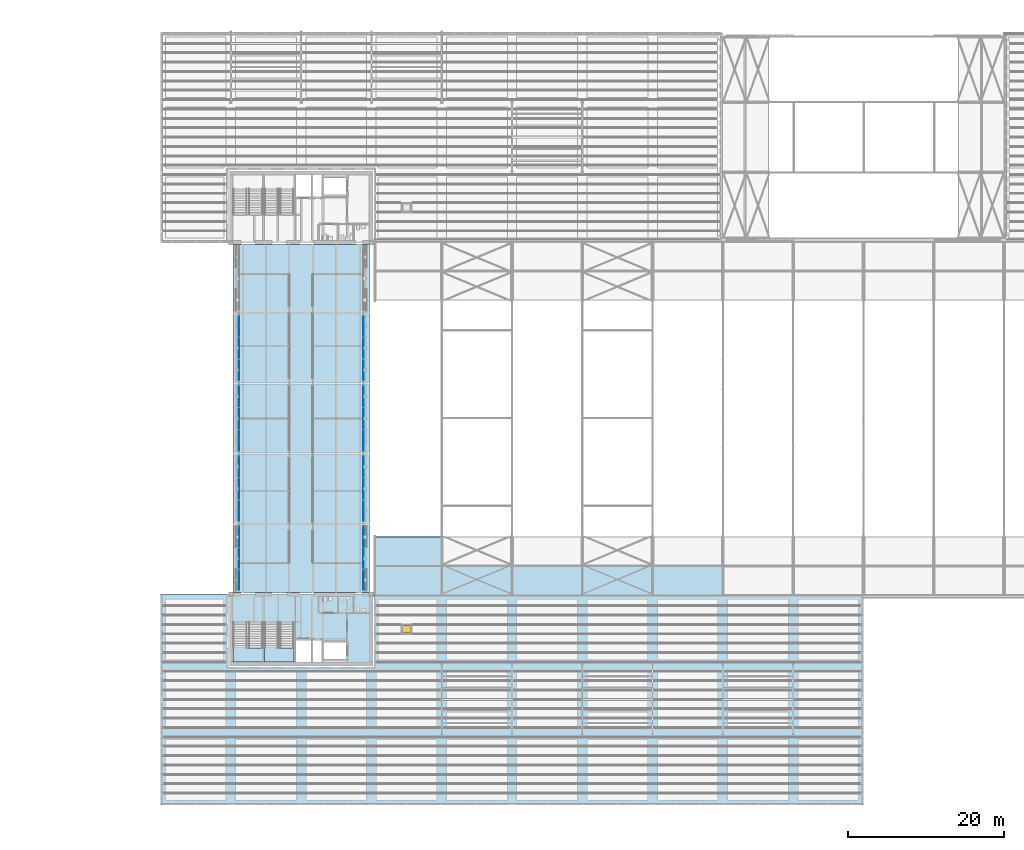
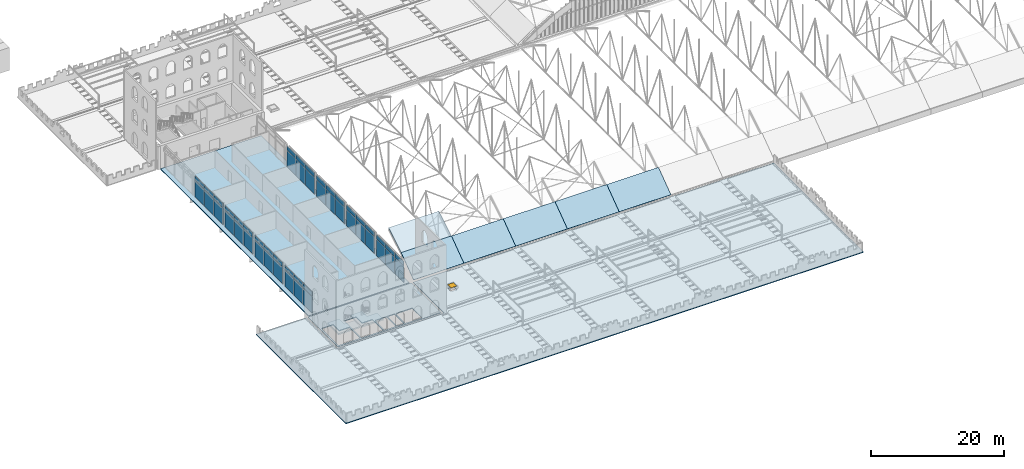
# One storey, part 92 of 153: 48 plates, 11 slabs, 1 window, 1 opening, 10 elements without a shape of their own.
"""IFC4 building model written with IfcOpenShell, lengths in metres."""

import ifcopenshell
import ifcopenshell.guid

model = None  # the IFC model being written
_history = None  # IfcOwnerHistory: only IFC2X3 demands one
_inside = {}  # id of a spatial element -> (the spatial element, [elements in it])
_under = {}  # id of a project, library or spatial element -> (it, [spatial elements below it])
_declared = {}  # id of a project -> (the project, [libraries it declares])
_typed = {}  # id of a type object -> (the type object, [elements of that type])
_made_of = {}  # id of a material, layer set ... -> (it, [elements and type objects made of it])


def new_model(schema):
    """Start an empty IFC model of exactly this schema.

    Asked for "IFC4X3", IfcOpenShell would pick the latest addendum, in which some entities
    have other attributes; the version numbers below select the first issue.
    IFC2X3 requires an IfcOwnerHistory on every rooted entity: one is made here for all.
    """
    global model, _history
    if schema == "IFC4X3":
        model = ifcopenshell.file(schema_version=(4, 3, 0, 0))
    else:
        model = ifcopenshell.file(schema=schema)
    _inside.clear()
    _under.clear()
    _declared.clear()
    _typed.clear()
    _made_of.clear()
    _history = None
    if model.schema == "IFC2X3":
        org = make("IfcOrganization", Name="unknown")
        user = make(
            "IfcPersonAndOrganization",
            ThePerson=make("IfcPerson", FamilyName="unknown"),
            TheOrganization=org,
        )
        app = make(
            "IfcApplication",
            ApplicationDeveloper=org,
            Version="unknown",
            ApplicationFullName="unknown",
            ApplicationIdentifier="unknown",
        )
        _history = make(
            "IfcOwnerHistory",
            OwningUser=user,
            OwningApplication=app,
            ChangeAction="ADDED",
            CreationDate=0,
        )
    return model


def make(cls, **values):
    """One entity of the class cls with the attributes given. An attribute that is None is left unset."""
    return model.create_entity(
        cls, **{name: value for name, value in values.items() if value is not None}
    )


def rooted(cls, **values):
    """An entity with a GlobalId (a new one), such as an element, a storey or a relation."""
    return make(cls, GlobalId=ifcopenshell.guid.new(), OwnerHistory=_history, **values)


def si_unit(unit_type, name, prefix=None):
    """IfcSIUnit, for example si_unit("LENGTHUNIT", "METRE", prefix="MILLI")."""
    return make("IfcSIUnit", UnitType=unit_type, Prefix=prefix, Name=name)


def assignment(units):
    """IfcUnitAssignment: the units of a project."""
    return None if units is None else make("IfcUnitAssignment", Units=units)


def point(xyz):
    """IfcCartesianPoint."""
    return None if xyz is None else make("IfcCartesianPoint", Coordinates=xyz)


def direction(xyz):
    """IfcDirection."""
    return None if xyz is None else make("IfcDirection", DirectionRatios=xyz)


def frame(location, z_axis=None, x_axis=None):
    """IfcAxis2Placement3D, a coordinate frame: its origin and axes. An axis left out is left unset."""
    return make(
        "IfcAxis2Placement3D",
        Location=point(location),
        Axis=direction(z_axis),
        RefDirection=direction(x_axis),
    )


def frame_2d(location, x_axis=None):
    """IfcAxis2Placement2D, a coordinate frame in the plane: its origin and x axis."""
    return make(
        "IfcAxis2Placement2D", Location=point(location), RefDirection=direction(x_axis)
    )


def origin():
    """The frame at (0, 0, 0) with its axes left unset."""
    return frame((0.0, 0.0, 0.0))


def origin_2d():
    """The frame at (0, 0) in the plane with its x axis left unset."""
    return frame_2d((0.0, 0.0))


def place(relative_to, where):
    """IfcLocalPlacement: puts the frame where relative to a parent placement (None: the world)."""
    return make(
        "IfcLocalPlacement", PlacementRelTo=relative_to, RelativePlacement=where
    )


def context(
    kind, dimensions, precision=None, world=None, true_north=None, identifier=None
):
    """IfcGeometricRepresentationContext, for example the 3D "Model" context."""
    return make(
        "IfcGeometricRepresentationContext",
        ContextIdentifier=identifier,
        ContextType=kind,
        CoordinateSpaceDimension=dimensions,
        Precision=precision,
        WorldCoordinateSystem=world,
        TrueNorth=true_north,
    )


def subcontext(parent, identifier, kind, view, scale=None):
    """IfcGeometricRepresentationSubContext, for example "Body" below "Model"."""
    return make(
        "IfcGeometricRepresentationSubContext",
        ContextIdentifier=identifier,
        ContextType=kind,
        ParentContext=parent,
        TargetScale=scale,
        TargetView=view,
    )


def project(units=None, contexts=None):
    """IfcProject with its units and contexts."""
    return rooted(
        "IfcProject",
        Name="project",
        RepresentationContexts=contexts,
        UnitsInContext=assignment(units),
    )


def spatial(cls, under=None, at=None, **own):
    """A site, building, storey or space (cls), placed at a placement, below another one or the project."""
    s = rooted(cls, ObjectPlacement=at, **own)
    if under is not None:
        _under.setdefault(under.id(), (under, []))[1].append(s)
    return s


def polyline(points):
    """IfcPolyline through the points."""
    return make("IfcPolyline", Points=[point(p) for p in points])


def profile(cls, at=None, kind="AREA", **sizes):
    """A parametric profile (cls). Its sizes go by their IFC names, for example OverallWidth=200.0."""
    return make(cls, ProfileType=kind, Position=at, **sizes)


def rectangle(**sizes):
    """IfcRectangleProfileDef."""
    return profile("IfcRectangleProfileDef", **sizes)


def outline(outer, holes=None, kind="AREA"):
    """IfcArbitraryClosedProfileDef: a profile drawn as a closed curve; with holes, ...WithVoids."""
    if holes is None:
        return make("IfcArbitraryClosedProfileDef", ProfileType=kind, OuterCurve=outer)
    return make(
        "IfcArbitraryProfileDefWithVoids",
        ProfileType=kind,
        OuterCurve=outer,
        InnerCurves=holes,
    )


def extrude(swept, where, along, depth):
    """IfcExtrudedAreaSolid: the profile swept, set in the frame where, extruded along a direction by depth."""
    return make(
        "IfcExtrudedAreaSolid",
        SweptArea=swept,
        Position=where,
        ExtrudedDirection=direction(along),
        Depth=depth,
    )


def shape(context_of_items, identifier, shape_type, items):
    """IfcShapeRepresentation: the items that make up one representation, for example the "Body"."""
    return make(
        "IfcShapeRepresentation",
        ContextOfItems=context_of_items,
        RepresentationIdentifier=identifier,
        RepresentationType=shape_type,
        Items=items,
    )


def material(Name=None, Category=None):
    """IfcMaterial."""
    return make("IfcMaterial", Name=Name, Category=Category)


def layer(
    of_material, thickness, ventilated=None, Name=None, Category=None, Priority=None
):
    """IfcMaterialLayer: one layer of a wall or slab, of a material (None: an air gap)."""
    return make(
        "IfcMaterialLayer",
        Material=of_material,
        LayerThickness=thickness,
        IsVentilated=ventilated,
        Name=Name,
        Category=Category,
        Priority=Priority,
    )


def layer_set(layers, Name=None):
    """IfcMaterialLayerSet."""
    return make("IfcMaterialLayerSet", MaterialLayers=layers, LayerSetName=Name)


def made_of(thing, what):
    """Note that an element or type object is made of a material, layer set ...; save() writes the relation."""
    if what is not None:
        _made_of.setdefault(what.id(), (what, []))[1].append(thing)
    return thing


def type_object(cls, material=None, **own):
    """A type object (cls), such as IfcWallType, which elements share."""
    return made_of(rooted(cls, **own), material)


def element(
    cls,
    number,
    at=None,
    inside=None,
    cuts=None,
    type_object=None,
    material=None,
    context=None,
    identifier="Body",
    shape_type=None,
    held_by="IfcProductDefinitionShape",
    body=None,
    shapes=None,
    **own,
):
    """One element of the class cls, such as IfcWall. Its Tag is "e" and its number.

    at: its placement. inside: the storey or other place that contains it. cuts: it is an
    opening in that element (IfcRelVoidsElement). A single representation is given by context,
    identifier, shape_type and body (its items); several are given by shapes. held_by: the class
    of the entity that holds the representations. save() writes the other relations.
    """
    e = rooted(cls, Tag="e%d" % number, ObjectPlacement=at, **own)
    if body is not None:
        shapes = [shape(context, identifier, shape_type, body)]
    if shapes is not None:
        e.Representation = make(held_by, Representations=shapes)
    if inside is not None:
        _inside.setdefault(inside.id(), (inside, []))[1].append(e)
    if cuts is not None:
        rooted(
            "IfcRelVoidsElement", RelatingBuildingElement=cuts, RelatedOpeningElement=e
        )
    if type_object is not None:
        _typed.setdefault(type_object.id(), (type_object, []))[1].append(e)
    return made_of(e, material)


def fill(opening, filler):
    """IfcRelFillsElement: the door or window that sits in an opening."""
    return rooted(
        "IfcRelFillsElement",
        RelatingOpeningElement=opening,
        RelatedBuildingElement=filler,
    )


def aggregate(whole, parts):
    """IfcRelAggregates: a whole, such as a stair, and the parts it consists of."""
    return rooted("IfcRelAggregates", RelatingObject=whole, RelatedObjects=parts)


def save(model, path):
    """Write the relations noted so far, then the file.

    IfcRelAggregates (storeys below a building ...), IfcRelContainedInSpatialStructure (elements
    in a storey), IfcRelDefinesByType, IfcRelAssociatesMaterial and IfcRelDeclares: one each for
    every whole, place, type object, material and project.
    """
    for whole, parts in _under.values():
        aggregate(whole, parts)
    for where, things in _inside.values():
        rooted(
            "IfcRelContainedInSpatialStructure",
            RelatedElements=things,
            RelatingStructure=where,
        )
    for kind, things in _typed.values():
        rooted("IfcRelDefinesByType", RelatedObjects=things, RelatingType=kind)
    for what, things in _made_of.values():
        rooted("IfcRelAssociatesMaterial", RelatedObjects=things, RelatingMaterial=what)
    for by, libraries in _declared.values():
        rooted("IfcRelDeclares", RelatingContext=by, RelatedDefinitions=libraries)
    model.write(path)


model = new_model("IFC4")

# Units and contexts
model_context = context("Model", 3, precision=1e-05, world=origin(), true_north=direction((0.0, 1.0)))
body_context = subcontext(model_context, "Body", "Model", "MODEL_VIEW")
ifc_project = project(units=[si_unit("LENGTHUNIT", "METRE"), si_unit("AREAUNIT", "SQUARE_METRE"), si_unit("VOLUMEUNIT", "CUBIC_METRE"), si_unit("PLANEANGLEUNIT", "RADIAN"), si_unit("MASSUNIT", "GRAM", prefix="KILO")], contexts=[model_context])

# Site, building, storey
site_placement = place(None, origin())
site = spatial("IfcSite", under=ifc_project, at=site_placement, CompositionType="ELEMENT")
building_placement = place(site_placement, origin())
building = spatial("IfcBuilding", under=site, at=building_placement, Name="Baradari Gate Terminus", CompositionType="ELEMENT")
storey_placement = place(building_placement, frame((0.0, 0.0, 11.699951171875)))
storey = spatial("IfcBuildingStorey", under=building, at=storey_placement, Name="L02", CompositionType="ELEMENT", Elevation=11.699951171875)

# Slab, opening, window
ifc_material_1 = material(Name="Concrete C35/45", Category="concrete")
ifc_layer_1 = layer(ifc_material_1, 0.14990234375)
ifc_layer_set_1 = layer_set([ifc_layer_1], Name="Concrete C35/45")
slab_type_1 = type_object("IfcSlabType", Name="Composite roof slab SL2 150", PredefinedType="ROOF", material=ifc_layer_set_1)
slab_1_placement = place(storey_placement, frame((0.0, 0.0, -0.14990234375)))
slab_1 = element("IfcSlab", 1, at=slab_1_placement, inside=storey, type_object=slab_type_1, Name="South wing roof", PredefinedType="ROOF", context=body_context, shape_type="SweptSolid", body=[
    extrude(outline(polyline([(63.0, 9.0), (153.0, 9.0), (153.0, 36.0), (90.300048828125, 36.0), (90.300048828125, 35.699951171875), (90.300048828125, 27.300048828125), (90.300048828125, 26.699951171875), (71.699951171875, 26.699951171875), (71.699951171875, 27.300048828125), (71.699951171875, 35.699951171875), (71.699951171875, 36.0), (63.0, 36.0), (63.0, 9.0)])), origin(), (0.0, 0.0, 1.0), 0.14990234375),
])
opening_placement = place(slab_1_placement, frame((94.5, 31.5, 0.0)))
opening = element("IfcOpeningElement", 2, at=opening_placement, cuts=slab_1, Name="Opening RH1", PredefinedType="OPENING", context=body_context, shape_type="SweptSolid", body=[
    extrude(rectangle(XDim=1.0, YDim=1.0, at=origin_2d()), frame((0.0, 0.0, -0.010009765625)), (0.0, 0.0, 1.0), 0.869873046875),
])
ifc_material_2 = material(Name="Aluminium", Category="aluminium")
window_type = type_object("IfcWindowType", Name="Roof access hatch", PartitioningType="SINGLE_PANEL", PredefinedType="SKYLIGHT", material=ifc_material_2)
window_placement = place(opening_placement, frame((0.0, 0.0, 0.7998046875)))
window = element("IfcWindow", 3, at=window_placement, inside=storey, type_object=window_type, Name="RF/L02/RH3", OverallHeight=1.0, OverallWidth=1.0, PartitioningType="SINGLE_PANEL", PredefinedType="SKYLIGHT", context=body_context, shape_type="SweptSolid", body=[
    extrude(rectangle(XDim=1.0, YDim=1.0, at=origin_2d()), origin(), (0.0, 0.0, 1.0), 0.050048828125),
])
fill(opening, window)

# Curtain wall, plate
ifc_material_3 = material(Name="Aluminium 6063-T6", Category="aluminium")
curtain_wall_type = type_object("IfcCurtainWallType", Name="Curtain wall CW-3 gate face, office floors", PredefinedType="NOTDEFINED", material=ifc_material_3)
curtain_wall_1_placement = place(storey_placement, origin())
curtain_wall_1 = element("IfcCurtainWall", 4, at=curtain_wall_1_placement, inside=storey, type_object=curtain_wall_type, Name="Curtain wall CW-3 gate west face L02 bay 1", PredefinedType="NOTDEFINED")
ifc_material_4 = material(Name="Insulating glass unit", Category="glass")
ifc_layer_2 = layer(ifc_material_4, 0.0400390625)
ifc_layer_set_2 = layer_set([ifc_layer_2], Name="Insulating glass unit")
plate_type_1 = type_object("IfcPlateType", Name="Curtain wall glazing unit CP-3 40", PredefinedType="CURTAIN_PANEL", material=ifc_layer_set_2)
plate_1_placement = place(storey_placement, frame((73.02490234375, 37.811767578125, 0.080078125), z_axis=(0.0, 0.0, 1.0), x_axis=(0.0, 1.0, 0.0)))
plate_1 = element("IfcPlate", 5, at=plate_1_placement, type_object=plate_type_1, Name="CW-3 panel 1.1", PredefinedType="CURTAIN_PANEL", context=body_context, shape_type="SweptSolid", body=[
    extrude(rectangle(XDim=2.663330078125, YDim=0.0400390625, at=origin_2d()), origin(), (0.0, 0.0, 1.0), 3.030029296875),
])

curtain_wall_2_placement = place(storey_placement, origin())
curtain_wall_2 = element("IfcCurtainWall", 6, at=curtain_wall_2_placement, inside=storey, type_object=curtain_wall_type, Name="Curtain wall CW-3 gate west face L02 bay 2", PredefinedType="NOTDEFINED")
plate_2_placement = place(storey_placement, frame((73.02490234375, 46.686767578125, 0.080078125), z_axis=(0.0, 0.0, 1.0), x_axis=(0.0, 1.0, 0.0)))
plate_2 = element("IfcPlate", 7, at=plate_2_placement, type_object=plate_type_1, Name="CW-3 panel 1.1", PredefinedType="CURTAIN_PANEL", context=body_context, shape_type="SweptSolid", body=[
    extrude(rectangle(XDim=2.71337890625, YDim=0.0400390625, at=origin_2d()), origin(), (0.0, 0.0, 1.0), 3.030029296875),
])

curtain_wall_3_placement = place(storey_placement, origin())
curtain_wall_3 = element("IfcCurtainWall", 8, at=curtain_wall_3_placement, inside=storey, type_object=curtain_wall_type, Name="Curtain wall CW-3 gate west face L02 bay 3", PredefinedType="NOTDEFINED")
plate_3_placement = place(storey_placement, frame((73.02490234375, 55.686767578125, 0.080078125), z_axis=(0.0, 0.0, 1.0), x_axis=(0.0, 1.0, 0.0)))
plate_3 = element("IfcPlate", 9, at=plate_3_placement, type_object=plate_type_1, Name="CW-3 panel 1.1", PredefinedType="CURTAIN_PANEL", context=body_context, shape_type="SweptSolid", body=[
    extrude(rectangle(XDim=2.71337890625, YDim=0.0400390625, at=origin_2d()), origin(), (0.0, 0.0, 1.0), 3.030029296875),
])

curtain_wall_4_placement = place(storey_placement, origin())
curtain_wall_4 = element("IfcCurtainWall", 10, at=curtain_wall_4_placement, inside=storey, type_object=curtain_wall_type, Name="Curtain wall CW-3 gate west face L02 bay 4", PredefinedType="NOTDEFINED")
plate_4_placement = place(storey_placement, frame((73.02490234375, 70.313232421875, 0.080078125), z_axis=(0.0, 0.0, 1.0), x_axis=(0.0, 1.0, 0.0)))
plate_4 = element("IfcPlate", 11, at=plate_4_placement, type_object=plate_type_1, Name="CW-3 panel 3.1", PredefinedType="CURTAIN_PANEL", context=body_context, shape_type="SweptSolid", body=[
    extrude(rectangle(XDim=2.71337890625, YDim=0.0400390625, at=origin_2d()), origin(), (0.0, 0.0, 1.0), 3.030029296875),
])

curtain_wall_5_placement = place(storey_placement, origin())
curtain_wall_5 = element("IfcCurtainWall", 12, at=curtain_wall_5_placement, inside=storey, type_object=curtain_wall_type, Name="Curtain wall CW-3 gate east face L02 bay 1", PredefinedType="NOTDEFINED")
plate_5_placement = place(storey_placement, frame((88.97509765625, 37.811767578125, 0.080078125), z_axis=(0.0, 0.0, 1.0), x_axis=(0.0, 1.0, 0.0)))
plate_5 = element("IfcPlate", 13, at=plate_5_placement, type_object=plate_type_1, Name="CW-3 panel 1.1", PredefinedType="CURTAIN_PANEL", context=body_context, shape_type="SweptSolid", body=[
    extrude(rectangle(XDim=2.663330078125, YDim=0.0400390625, at=origin_2d()), origin(), (0.0, 0.0, 1.0), 3.030029296875),
])

curtain_wall_6_placement = place(storey_placement, origin())
curtain_wall_6 = element("IfcCurtainWall", 14, at=curtain_wall_6_placement, inside=storey, type_object=curtain_wall_type, Name="Curtain wall CW-3 gate east face L02 bay 2", PredefinedType="NOTDEFINED")
plate_6_placement = place(storey_placement, frame((88.97509765625, 46.686767578125, 0.080078125), z_axis=(0.0, 0.0, 1.0), x_axis=(0.0, 1.0, 0.0)))
plate_6 = element("IfcPlate", 15, at=plate_6_placement, type_object=plate_type_1, Name="CW-3 panel 1.1", PredefinedType="CURTAIN_PANEL", context=body_context, shape_type="SweptSolid", body=[
    extrude(rectangle(XDim=2.71337890625, YDim=0.0400390625, at=origin_2d()), origin(), (0.0, 0.0, 1.0), 3.030029296875),
])

curtain_wall_7_placement = place(storey_placement, origin())
curtain_wall_7 = element("IfcCurtainWall", 16, at=curtain_wall_7_placement, inside=storey, type_object=curtain_wall_type, Name="Curtain wall CW-3 gate east face L02 bay 3", PredefinedType="NOTDEFINED")
plate_7_placement = place(storey_placement, frame((88.97509765625, 55.686767578125, 0.080078125), z_axis=(0.0, 0.0, 1.0), x_axis=(0.0, 1.0, 0.0)))
plate_7 = element("IfcPlate", 17, at=plate_7_placement, type_object=plate_type_1, Name="CW-3 panel 1.1", PredefinedType="CURTAIN_PANEL", context=body_context, shape_type="SweptSolid", body=[
    extrude(rectangle(XDim=2.71337890625, YDim=0.0400390625, at=origin_2d()), origin(), (0.0, 0.0, 1.0), 3.030029296875),
])

curtain_wall_8_placement = place(storey_placement, origin())
curtain_wall_8 = element("IfcCurtainWall", 18, at=curtain_wall_8_placement, inside=storey, type_object=curtain_wall_type, Name="Curtain wall CW-3 gate east face L02 bay 4", PredefinedType="NOTDEFINED")
plate_8_placement = place(storey_placement, frame((88.97509765625, 70.313232421875, 0.080078125), z_axis=(0.0, 0.0, 1.0), x_axis=(0.0, 1.0, 0.0)))
plate_8 = element("IfcPlate", 19, at=plate_8_placement, type_object=plate_type_1, Name="CW-3 panel 3.1", PredefinedType="CURTAIN_PANEL", context=body_context, shape_type="SweptSolid", body=[
    extrude(rectangle(XDim=2.71337890625, YDim=0.0400390625, at=origin_2d()), origin(), (0.0, 0.0, 1.0), 3.030029296875),
])

# Plate
ifc_material_5 = material(Name="Back-painted glass", Category="glass")
ifc_layer_3 = layer(ifc_material_5, 0.080078125)
ifc_layer_set_3 = layer_set([ifc_layer_3], Name="Back-painted glass")
plate_type_2 = type_object("IfcPlateType", Name="Curtain wall spandrel panel CP-S3 80", PredefinedType="CURTAIN_PANEL", material=ifc_layer_set_3)
plate_9_placement = place(storey_placement, frame((73.02490234375, 37.811767578125, 3.18994140625), z_axis=(0.0, 0.0, 1.0), x_axis=(0.0, 1.0, 0.0)))
plate_9 = element("IfcPlate", 20, at=plate_9_placement, type_object=plate_type_2, Name="CW-3 spandrel panel 1.2", PredefinedType="CURTAIN_PANEL", context=body_context, shape_type="SweptSolid", body=[
    extrude(rectangle(XDim=2.663330078125, YDim=0.080078125, at=origin_2d()), origin(), (0.0, 0.0, 1.0), 0.780029296875),
])

plate_10_placement = place(storey_placement, frame((73.02490234375, 40.574951171875, 0.080078125), z_axis=(0.0, 0.0, 1.0), x_axis=(0.0, 1.0, 0.0)))
plate_10 = element("IfcPlate", 21, at=plate_10_placement, type_object=plate_type_2, Name="CW-3 spandrel panel 2.1", PredefinedType="CURTAIN_PANEL", context=body_context, shape_type="SweptSolid", body=[
    extrude(rectangle(XDim=2.703369140625, YDim=0.080078125, at=origin_2d()), origin(), (0.0, 0.0, 1.0), 3.030029296875),
])

plate_11_placement = place(storey_placement, frame((73.02490234375, 40.574951171875, 3.18994140625), z_axis=(0.0, 0.0, 1.0), x_axis=(0.0, 1.0, 0.0)))
plate_11 = element("IfcPlate", 22, at=plate_11_placement, type_object=plate_type_2, Name="CW-3 spandrel panel 2.2", PredefinedType="CURTAIN_PANEL", context=body_context, shape_type="SweptSolid", body=[
    extrude(rectangle(XDim=2.703369140625, YDim=0.080078125, at=origin_2d()), origin(), (0.0, 0.0, 1.0), 0.780029296875),
])

plate_12_placement = place(storey_placement, frame((73.02490234375, 43.33837890625, 0.080078125), z_axis=(0.0, 0.0, 1.0), x_axis=(0.0, 1.0, 0.0)))
plate_12 = element("IfcPlate", 23, at=plate_12_placement, type_object=plate_type_2, Name="CW-3 spandrel panel 3.1", PredefinedType="CURTAIN_PANEL", context=body_context, shape_type="SweptSolid", body=[
    extrude(rectangle(XDim=2.663330078125, YDim=0.080078125, at=origin_2d()), origin(), (0.0, 0.0, 1.0), 3.030029296875),
])

plate_13_placement = place(storey_placement, frame((73.02490234375, 43.33837890625, 3.18994140625), z_axis=(0.0, 0.0, 1.0), x_axis=(0.0, 1.0, 0.0)))
plate_13 = element("IfcPlate", 24, at=plate_13_placement, type_object=plate_type_2, Name="CW-3 spandrel panel 3.2", PredefinedType="CURTAIN_PANEL", context=body_context, shape_type="SweptSolid", body=[
    extrude(rectangle(XDim=2.663330078125, YDim=0.080078125, at=origin_2d()), origin(), (0.0, 0.0, 1.0), 0.780029296875),
])

aggregate(curtain_wall_1, [plate_1, plate_9, plate_10, plate_11, plate_12, plate_13])

plate_14_placement = place(storey_placement, frame((73.02490234375, 46.686767578125, 3.18994140625), z_axis=(0.0, 0.0, 1.0), x_axis=(0.0, 1.0, 0.0)))
plate_14 = element("IfcPlate", 25, at=plate_14_placement, type_object=plate_type_2, Name="CW-3 spandrel panel 1.2", PredefinedType="CURTAIN_PANEL", context=body_context, shape_type="SweptSolid", body=[
    extrude(rectangle(XDim=2.71337890625, YDim=0.080078125, at=origin_2d()), origin(), (0.0, 0.0, 1.0), 0.780029296875),
])

plate_15_placement = place(storey_placement, frame((73.02490234375, 49.5, 0.080078125), z_axis=(0.0, 0.0, 1.0), x_axis=(0.0, 1.0, 0.0)))
plate_15 = element("IfcPlate", 26, at=plate_15_placement, type_object=plate_type_2, Name="CW-3 spandrel panel 2.1", PredefinedType="CURTAIN_PANEL", context=body_context, shape_type="SweptSolid", body=[
    extrude(rectangle(XDim=2.75341796875, YDim=0.080078125, at=origin_2d()), origin(), (0.0, 0.0, 1.0), 3.030029296875),
])

plate_16_placement = place(storey_placement, frame((73.02490234375, 49.5, 3.18994140625), z_axis=(0.0, 0.0, 1.0), x_axis=(0.0, 1.0, 0.0)))
plate_16 = element("IfcPlate", 27, at=plate_16_placement, type_object=plate_type_2, Name="CW-3 spandrel panel 2.2", PredefinedType="CURTAIN_PANEL", context=body_context, shape_type="SweptSolid", body=[
    extrude(rectangle(XDim=2.75341796875, YDim=0.080078125, at=origin_2d()), origin(), (0.0, 0.0, 1.0), 0.780029296875),
])

plate_17_placement = place(storey_placement, frame((73.02490234375, 52.313232421875, 0.080078125), z_axis=(0.0, 0.0, 1.0), x_axis=(0.0, 1.0, 0.0)))
plate_17 = element("IfcPlate", 28, at=plate_17_placement, type_object=plate_type_2, Name="CW-3 spandrel panel 3.1", PredefinedType="CURTAIN_PANEL", context=body_context, shape_type="SweptSolid", body=[
    extrude(rectangle(XDim=2.71337890625, YDim=0.080078125, at=origin_2d()), origin(), (0.0, 0.0, 1.0), 3.030029296875),
])

plate_18_placement = place(storey_placement, frame((73.02490234375, 52.313232421875, 3.18994140625), z_axis=(0.0, 0.0, 1.0), x_axis=(0.0, 1.0, 0.0)))
plate_18 = element("IfcPlate", 29, at=plate_18_placement, type_object=plate_type_2, Name="CW-3 spandrel panel 3.2", PredefinedType="CURTAIN_PANEL", context=body_context, shape_type="SweptSolid", body=[
    extrude(rectangle(XDim=2.71337890625, YDim=0.080078125, at=origin_2d()), origin(), (0.0, 0.0, 1.0), 0.780029296875),
])

aggregate(curtain_wall_2, [plate_2, plate_14, plate_15, plate_16, plate_17, plate_18])

plate_19_placement = place(storey_placement, frame((73.02490234375, 55.686767578125, 3.18994140625), z_axis=(0.0, 0.0, 1.0), x_axis=(0.0, 1.0, 0.0)))
plate_19 = element("IfcPlate", 30, at=plate_19_placement, type_object=plate_type_2, Name="CW-3 spandrel panel 1.2", PredefinedType="CURTAIN_PANEL", context=body_context, shape_type="SweptSolid", body=[
    extrude(rectangle(XDim=2.71337890625, YDim=0.080078125, at=origin_2d()), origin(), (0.0, 0.0, 1.0), 0.780029296875),
])

plate_20_placement = place(storey_placement, frame((73.02490234375, 58.5, 0.080078125), z_axis=(0.0, 0.0, 1.0), x_axis=(0.0, 1.0, 0.0)))
plate_20 = element("IfcPlate", 31, at=plate_20_placement, type_object=plate_type_2, Name="CW-3 spandrel panel 2.1", PredefinedType="CURTAIN_PANEL", context=body_context, shape_type="SweptSolid", body=[
    extrude(rectangle(XDim=2.75341796875, YDim=0.080078125, at=origin_2d()), origin(), (0.0, 0.0, 1.0), 3.030029296875),
])

plate_21_placement = place(storey_placement, frame((73.02490234375, 58.5, 3.18994140625), z_axis=(0.0, 0.0, 1.0), x_axis=(0.0, 1.0, 0.0)))
plate_21 = element("IfcPlate", 32, at=plate_21_placement, type_object=plate_type_2, Name="CW-3 spandrel panel 2.2", PredefinedType="CURTAIN_PANEL", context=body_context, shape_type="SweptSolid", body=[
    extrude(rectangle(XDim=2.75341796875, YDim=0.080078125, at=origin_2d()), origin(), (0.0, 0.0, 1.0), 0.780029296875),
])

plate_22_placement = place(storey_placement, frame((73.02490234375, 61.313232421875, 0.080078125), z_axis=(0.0, 0.0, 1.0), x_axis=(0.0, 1.0, 0.0)))
plate_22 = element("IfcPlate", 33, at=plate_22_placement, type_object=plate_type_2, Name="CW-3 spandrel panel 3.1", PredefinedType="CURTAIN_PANEL", context=body_context, shape_type="SweptSolid", body=[
    extrude(rectangle(XDim=2.71337890625, YDim=0.080078125, at=origin_2d()), origin(), (0.0, 0.0, 1.0), 3.030029296875),
])

plate_23_placement = place(storey_placement, frame((73.02490234375, 61.313232421875, 3.18994140625), z_axis=(0.0, 0.0, 1.0), x_axis=(0.0, 1.0, 0.0)))
plate_23 = element("IfcPlate", 34, at=plate_23_placement, type_object=plate_type_2, Name="CW-3 spandrel panel 3.2", PredefinedType="CURTAIN_PANEL", context=body_context, shape_type="SweptSolid", body=[
    extrude(rectangle(XDim=2.71337890625, YDim=0.080078125, at=origin_2d()), origin(), (0.0, 0.0, 1.0), 0.780029296875),
])

aggregate(curtain_wall_3, [plate_3, plate_19, plate_20, plate_21, plate_22, plate_23])

plate_24_placement = place(storey_placement, frame((73.02490234375, 64.686767578125, 0.080078125), z_axis=(0.0, 0.0, 1.0), x_axis=(0.0, 1.0, 0.0)))
plate_24 = element("IfcPlate", 35, at=plate_24_placement, type_object=plate_type_2, Name="CW-3 spandrel panel 1.1", PredefinedType="CURTAIN_PANEL", context=body_context, shape_type="SweptSolid", body=[
    extrude(rectangle(XDim=2.71337890625, YDim=0.080078125, at=origin_2d()), origin(), (0.0, 0.0, 1.0), 3.030029296875),
])

plate_25_placement = place(storey_placement, frame((73.02490234375, 64.686767578125, 3.18994140625), z_axis=(0.0, 0.0, 1.0), x_axis=(0.0, 1.0, 0.0)))
plate_25 = element("IfcPlate", 36, at=plate_25_placement, type_object=plate_type_2, Name="CW-3 spandrel panel 1.2", PredefinedType="CURTAIN_PANEL", context=body_context, shape_type="SweptSolid", body=[
    extrude(rectangle(XDim=2.71337890625, YDim=0.080078125, at=origin_2d()), origin(), (0.0, 0.0, 1.0), 0.780029296875),
])

plate_26_placement = place(storey_placement, frame((73.02490234375, 67.5, 0.080078125), z_axis=(0.0, 0.0, 1.0), x_axis=(0.0, 1.0, 0.0)))
plate_26 = element("IfcPlate", 37, at=plate_26_placement, type_object=plate_type_2, Name="CW-3 spandrel panel 2.1", PredefinedType="CURTAIN_PANEL", context=body_context, shape_type="SweptSolid", body=[
    extrude(rectangle(XDim=2.75341796875, YDim=0.080078125, at=origin_2d()), origin(), (0.0, 0.0, 1.0), 3.030029296875),
])

plate_27_placement = place(storey_placement, frame((73.02490234375, 67.5, 3.18994140625), z_axis=(0.0, 0.0, 1.0), x_axis=(0.0, 1.0, 0.0)))
plate_27 = element("IfcPlate", 38, at=plate_27_placement, type_object=plate_type_2, Name="CW-3 spandrel panel 2.2", PredefinedType="CURTAIN_PANEL", context=body_context, shape_type="SweptSolid", body=[
    extrude(rectangle(XDim=2.75341796875, YDim=0.080078125, at=origin_2d()), origin(), (0.0, 0.0, 1.0), 0.780029296875),
])

plate_28_placement = place(storey_placement, frame((73.02490234375, 70.313232421875, 3.18994140625), z_axis=(0.0, 0.0, 1.0), x_axis=(0.0, 1.0, 0.0)))
plate_28 = element("IfcPlate", 39, at=plate_28_placement, type_object=plate_type_2, Name="CW-3 spandrel panel 3.2", PredefinedType="CURTAIN_PANEL", context=body_context, shape_type="SweptSolid", body=[
    extrude(rectangle(XDim=2.71337890625, YDim=0.080078125, at=origin_2d()), origin(), (0.0, 0.0, 1.0), 0.780029296875),
])

aggregate(curtain_wall_4, [plate_24, plate_25, plate_26, plate_27, plate_4, plate_28])

plate_29_placement = place(storey_placement, frame((88.97509765625, 37.811767578125, 3.18994140625), z_axis=(0.0, 0.0, 1.0), x_axis=(0.0, 1.0, 0.0)))
plate_29 = element("IfcPlate", 40, at=plate_29_placement, type_object=plate_type_2, Name="CW-3 spandrel panel 1.2", PredefinedType="CURTAIN_PANEL", context=body_context, shape_type="SweptSolid", body=[
    extrude(rectangle(XDim=2.663330078125, YDim=0.080078125, at=origin_2d()), origin(), (0.0, 0.0, 1.0), 0.780029296875),
])

plate_30_placement = place(storey_placement, frame((88.97509765625, 40.574951171875, 0.080078125), z_axis=(0.0, 0.0, 1.0), x_axis=(0.0, 1.0, 0.0)))
plate_30 = element("IfcPlate", 41, at=plate_30_placement, type_object=plate_type_2, Name="CW-3 spandrel panel 2.1", PredefinedType="CURTAIN_PANEL", context=body_context, shape_type="SweptSolid", body=[
    extrude(rectangle(XDim=2.703369140625, YDim=0.080078125, at=origin_2d()), origin(), (0.0, 0.0, 1.0), 3.030029296875),
])

plate_31_placement = place(storey_placement, frame((88.97509765625, 40.574951171875, 3.18994140625), z_axis=(0.0, 0.0, 1.0), x_axis=(0.0, 1.0, 0.0)))
plate_31 = element("IfcPlate", 42, at=plate_31_placement, type_object=plate_type_2, Name="CW-3 spandrel panel 2.2", PredefinedType="CURTAIN_PANEL", context=body_context, shape_type="SweptSolid", body=[
    extrude(rectangle(XDim=2.703369140625, YDim=0.080078125, at=origin_2d()), origin(), (0.0, 0.0, 1.0), 0.780029296875),
])

plate_32_placement = place(storey_placement, frame((88.97509765625, 43.33837890625, 0.080078125), z_axis=(0.0, 0.0, 1.0), x_axis=(0.0, 1.0, 0.0)))
plate_32 = element("IfcPlate", 43, at=plate_32_placement, type_object=plate_type_2, Name="CW-3 spandrel panel 3.1", PredefinedType="CURTAIN_PANEL", context=body_context, shape_type="SweptSolid", body=[
    extrude(rectangle(XDim=2.663330078125, YDim=0.080078125, at=origin_2d()), origin(), (0.0, 0.0, 1.0), 3.030029296875),
])

plate_33_placement = place(storey_placement, frame((88.97509765625, 43.33837890625, 3.18994140625), z_axis=(0.0, 0.0, 1.0), x_axis=(0.0, 1.0, 0.0)))
plate_33 = element("IfcPlate", 44, at=plate_33_placement, type_object=plate_type_2, Name="CW-3 spandrel panel 3.2", PredefinedType="CURTAIN_PANEL", context=body_context, shape_type="SweptSolid", body=[
    extrude(rectangle(XDim=2.663330078125, YDim=0.080078125, at=origin_2d()), origin(), (0.0, 0.0, 1.0), 0.780029296875),
])

aggregate(curtain_wall_5, [plate_5, plate_29, plate_30, plate_31, plate_32, plate_33])

plate_34_placement = place(storey_placement, frame((88.97509765625, 46.686767578125, 3.18994140625), z_axis=(0.0, 0.0, 1.0), x_axis=(0.0, 1.0, 0.0)))
plate_34 = element("IfcPlate", 45, at=plate_34_placement, type_object=plate_type_2, Name="CW-3 spandrel panel 1.2", PredefinedType="CURTAIN_PANEL", context=body_context, shape_type="SweptSolid", body=[
    extrude(rectangle(XDim=2.71337890625, YDim=0.080078125, at=origin_2d()), origin(), (0.0, 0.0, 1.0), 0.780029296875),
])

plate_35_placement = place(storey_placement, frame((88.97509765625, 49.5, 0.080078125), z_axis=(0.0, 0.0, 1.0), x_axis=(0.0, 1.0, 0.0)))
plate_35 = element("IfcPlate", 46, at=plate_35_placement, type_object=plate_type_2, Name="CW-3 spandrel panel 2.1", PredefinedType="CURTAIN_PANEL", context=body_context, shape_type="SweptSolid", body=[
    extrude(rectangle(XDim=2.75341796875, YDim=0.080078125, at=origin_2d()), origin(), (0.0, 0.0, 1.0), 3.030029296875),
])

plate_36_placement = place(storey_placement, frame((88.97509765625, 49.5, 3.18994140625), z_axis=(0.0, 0.0, 1.0), x_axis=(0.0, 1.0, 0.0)))
plate_36 = element("IfcPlate", 47, at=plate_36_placement, type_object=plate_type_2, Name="CW-3 spandrel panel 2.2", PredefinedType="CURTAIN_PANEL", context=body_context, shape_type="SweptSolid", body=[
    extrude(rectangle(XDim=2.75341796875, YDim=0.080078125, at=origin_2d()), origin(), (0.0, 0.0, 1.0), 0.780029296875),
])

plate_37_placement = place(storey_placement, frame((88.97509765625, 52.313232421875, 0.080078125), z_axis=(0.0, 0.0, 1.0), x_axis=(0.0, 1.0, 0.0)))
plate_37 = element("IfcPlate", 48, at=plate_37_placement, type_object=plate_type_2, Name="CW-3 spandrel panel 3.1", PredefinedType="CURTAIN_PANEL", context=body_context, shape_type="SweptSolid", body=[
    extrude(rectangle(XDim=2.71337890625, YDim=0.080078125, at=origin_2d()), origin(), (0.0, 0.0, 1.0), 3.030029296875),
])

plate_38_placement = place(storey_placement, frame((88.97509765625, 52.313232421875, 3.18994140625), z_axis=(0.0, 0.0, 1.0), x_axis=(0.0, 1.0, 0.0)))
plate_38 = element("IfcPlate", 49, at=plate_38_placement, type_object=plate_type_2, Name="CW-3 spandrel panel 3.2", PredefinedType="CURTAIN_PANEL", context=body_context, shape_type="SweptSolid", body=[
    extrude(rectangle(XDim=2.71337890625, YDim=0.080078125, at=origin_2d()), origin(), (0.0, 0.0, 1.0), 0.780029296875),
])

aggregate(curtain_wall_6, [plate_6, plate_34, plate_35, plate_36, plate_37, plate_38])

plate_39_placement = place(storey_placement, frame((88.97509765625, 55.686767578125, 3.18994140625), z_axis=(0.0, 0.0, 1.0), x_axis=(0.0, 1.0, 0.0)))
plate_39 = element("IfcPlate", 50, at=plate_39_placement, type_object=plate_type_2, Name="CW-3 spandrel panel 1.2", PredefinedType="CURTAIN_PANEL", context=body_context, shape_type="SweptSolid", body=[
    extrude(rectangle(XDim=2.71337890625, YDim=0.080078125, at=origin_2d()), origin(), (0.0, 0.0, 1.0), 0.780029296875),
])

plate_40_placement = place(storey_placement, frame((88.97509765625, 58.5, 0.080078125), z_axis=(0.0, 0.0, 1.0), x_axis=(0.0, 1.0, 0.0)))
plate_40 = element("IfcPlate", 51, at=plate_40_placement, type_object=plate_type_2, Name="CW-3 spandrel panel 2.1", PredefinedType="CURTAIN_PANEL", context=body_context, shape_type="SweptSolid", body=[
    extrude(rectangle(XDim=2.75341796875, YDim=0.080078125, at=origin_2d()), origin(), (0.0, 0.0, 1.0), 3.030029296875),
])

plate_41_placement = place(storey_placement, frame((88.97509765625, 58.5, 3.18994140625), z_axis=(0.0, 0.0, 1.0), x_axis=(0.0, 1.0, 0.0)))
plate_41 = element("IfcPlate", 52, at=plate_41_placement, type_object=plate_type_2, Name="CW-3 spandrel panel 2.2", PredefinedType="CURTAIN_PANEL", context=body_context, shape_type="SweptSolid", body=[
    extrude(rectangle(XDim=2.75341796875, YDim=0.080078125, at=origin_2d()), origin(), (0.0, 0.0, 1.0), 0.780029296875),
])

plate_42_placement = place(storey_placement, frame((88.97509765625, 61.313232421875, 0.080078125), z_axis=(0.0, 0.0, 1.0), x_axis=(0.0, 1.0, 0.0)))
plate_42 = element("IfcPlate", 53, at=plate_42_placement, type_object=plate_type_2, Name="CW-3 spandrel panel 3.1", PredefinedType="CURTAIN_PANEL", context=body_context, shape_type="SweptSolid", body=[
    extrude(rectangle(XDim=2.71337890625, YDim=0.080078125, at=origin_2d()), origin(), (0.0, 0.0, 1.0), 3.030029296875),
])

plate_43_placement = place(storey_placement, frame((88.97509765625, 61.313232421875, 3.18994140625), z_axis=(0.0, 0.0, 1.0), x_axis=(0.0, 1.0, 0.0)))
plate_43 = element("IfcPlate", 54, at=plate_43_placement, type_object=plate_type_2, Name="CW-3 spandrel panel 3.2", PredefinedType="CURTAIN_PANEL", context=body_context, shape_type="SweptSolid", body=[
    extrude(rectangle(XDim=2.71337890625, YDim=0.080078125, at=origin_2d()), origin(), (0.0, 0.0, 1.0), 0.780029296875),
])

aggregate(curtain_wall_7, [plate_7, plate_39, plate_40, plate_41, plate_42, plate_43])

plate_44_placement = place(storey_placement, frame((88.97509765625, 64.686767578125, 0.080078125), z_axis=(0.0, 0.0, 1.0), x_axis=(0.0, 1.0, 0.0)))
plate_44 = element("IfcPlate", 55, at=plate_44_placement, type_object=plate_type_2, Name="CW-3 spandrel panel 1.1", PredefinedType="CURTAIN_PANEL", context=body_context, shape_type="SweptSolid", body=[
    extrude(rectangle(XDim=2.71337890625, YDim=0.080078125, at=origin_2d()), origin(), (0.0, 0.0, 1.0), 3.030029296875),
])

plate_45_placement = place(storey_placement, frame((88.97509765625, 64.686767578125, 3.18994140625), z_axis=(0.0, 0.0, 1.0), x_axis=(0.0, 1.0, 0.0)))
plate_45 = element("IfcPlate", 56, at=plate_45_placement, type_object=plate_type_2, Name="CW-3 spandrel panel 1.2", PredefinedType="CURTAIN_PANEL", context=body_context, shape_type="SweptSolid", body=[
    extrude(rectangle(XDim=2.71337890625, YDim=0.080078125, at=origin_2d()), origin(), (0.0, 0.0, 1.0), 0.780029296875),
])

plate_46_placement = place(storey_placement, frame((88.97509765625, 67.5, 0.080078125), z_axis=(0.0, 0.0, 1.0), x_axis=(0.0, 1.0, 0.0)))
plate_46 = element("IfcPlate", 57, at=plate_46_placement, type_object=plate_type_2, Name="CW-3 spandrel panel 2.1", PredefinedType="CURTAIN_PANEL", context=body_context, shape_type="SweptSolid", body=[
    extrude(rectangle(XDim=2.75341796875, YDim=0.080078125, at=origin_2d()), origin(), (0.0, 0.0, 1.0), 3.030029296875),
])

plate_47_placement = place(storey_placement, frame((88.97509765625, 67.5, 3.18994140625), z_axis=(0.0, 0.0, 1.0), x_axis=(0.0, 1.0, 0.0)))
plate_47 = element("IfcPlate", 58, at=plate_47_placement, type_object=plate_type_2, Name="CW-3 spandrel panel 2.2", PredefinedType="CURTAIN_PANEL", context=body_context, shape_type="SweptSolid", body=[
    extrude(rectangle(XDim=2.75341796875, YDim=0.080078125, at=origin_2d()), origin(), (0.0, 0.0, 1.0), 0.780029296875),
])

plate_48_placement = place(storey_placement, frame((88.97509765625, 70.313232421875, 3.18994140625), z_axis=(0.0, 0.0, 1.0), x_axis=(0.0, 1.0, 0.0)))
plate_48 = element("IfcPlate", 59, at=plate_48_placement, type_object=plate_type_2, Name="CW-3 spandrel panel 3.2", PredefinedType="CURTAIN_PANEL", context=body_context, shape_type="SweptSolid", body=[
    extrude(rectangle(XDim=2.71337890625, YDim=0.080078125, at=origin_2d()), origin(), (0.0, 0.0, 1.0), 0.780029296875),
])

aggregate(curtain_wall_8, [plate_44, plate_45, plate_46, plate_47, plate_8, plate_48])

# Slabs
ifc_material_6 = material(Name="Concrete C35/45", Category="concrete")
ifc_layer_4 = layer(ifc_material_6, 0.14990234375)
ifc_layer_set_4 = layer_set([ifc_layer_4], Name="Concrete C35/45")
slab_type_2 = type_object("IfcSlabType", Name="Gate floor slab SL11 150", PredefinedType="FLOOR", material=ifc_layer_set_4)
slab_2_placement = place(storey_placement, frame((0.0, 0.0, -0.14990234375)))
element("IfcSlab", 60, at=slab_2_placement, inside=storey, type_object=slab_type_2, Name="Gate floor", PredefinedType="FLOOR", context=body_context, shape_type="SweptSolid", body=[
    extrude(outline(polyline([(89.75, 36.199951171875), (89.75, 80.800048828125), (72.25, 80.800048828125), (72.25, 36.199951171875), (89.75, 36.199951171875)])), origin(), (0.0, 0.0, 1.0), 0.14990234375),
])
slab_3_placement = place(storey_placement, frame((0.0, 0.0, -0.14990234375)))
element("IfcSlab", 61, at=slab_3_placement, inside=storey, type_object=slab_type_2, Name="Core floor GS", PredefinedType="FLOOR", context=body_context, shape_type="SweptSolid", body=[
    extrude(outline(polyline([(72.0, 27.0), (90.0, 27.0), (90.0, 36.0), (72.0, 36.0), (72.0, 27.0)]), holes=[polyline([(86.800048828125, 27.300048828125), (86.800048828125, 30.199951171875), (83.89990234375, 30.199951171875), (83.89990234375, 27.300048828125), (86.800048828125, 27.300048828125)]), polyline([(83.699951171875, 30.199951171875), (82.5, 30.199951171875), (82.5, 27.300048828125), (83.699951171875, 27.300048828125), (83.699951171875, 30.199951171875)]), polyline([(82.300048828125, 30.199951171875), (80.300048828125, 30.199951171875), (80.300048828125, 27.300048828125), (82.300048828125, 27.300048828125), (82.300048828125, 30.199951171875)]), polyline([(80.10009765625, 27.300048828125), (80.10009765625, 30.580078125), (78.300048828125, 30.580078125), (78.300048828125, 32.39990234375), (76.300048828125, 32.39990234375), (76.300048828125, 27.300048828125), (80.10009765625, 27.300048828125)]), polyline([(76.10009765625, 27.300048828125), (76.10009765625, 30.580078125), (74.300048828125, 30.580078125), (74.300048828125, 32.39990234375), (72.300048828125, 32.39990234375), (72.300048828125, 27.300048828125), (76.10009765625, 27.300048828125)])]), origin(), (0.0, 0.0, 1.0), 0.14990234375),
])
ifc_material_7 = material(Name="Aluminium", Category="aluminium")
ifc_layer_5 = layer(ifc_material_7, 0.1201171875)
ifc_layer_set_5 = layer_set([ifc_layer_5], Name="Aluminium")
slab_type_3 = type_object("IfcSlabType", Name="Shed roof panel", PredefinedType="ROOF", material=ifc_layer_set_5)
slab_4_placement = place(storey_placement, frame((90.25, 35.77197265625, 0.57177734375), z_axis=(0.0, -0.590775958062, 0.806835650784), x_axis=(1.0, 0.0, 0.0)))
element("IfcSlab", 62, at=slab_4_placement, inside=storey, type_object=slab_type_3, Name="RF/L02/B99-RP00", PredefinedType="ROOF", context=body_context, shape_type="SweptSolid", body=[
    extrude(outline(polyline([(0.0, 0.0), (8.75, 0.0), (8.75, 4.665639518056), (0.0, 4.665639518056), (0.0, 0.0)])), origin(), (0.0, 0.0, -1.0), 0.1201171875),
])
slab_5_placement = place(storey_placement, frame((90.25, 39.536376953125, 3.328125), z_axis=(0.0, -0.513297855318, 0.85821052879), x_axis=(1.0, 0.0, 0.0)))
element("IfcSlab", 63, at=slab_5_placement, inside=storey, type_object=slab_type_3, Name="RF/L02/B99-RP01", PredefinedType="ROOF", context=body_context, shape_type="SweptSolid", body=[
    extrude(outline(polyline([(0.0, 0.0), (8.75, 0.0), (8.75, 4.407677040601449), (0.0, 4.407677040601449), (0.0, 0.0)])), origin(), (0.0, 0.0, -1.0), 0.1201171875),
])
for number, where, z_axis, x_axis, name in (
    (64, (99.0, 35.77197265625, 0.57177734375), (0.0, -0.590775958062, 0.806835650784), (1.0, 0.0, 0.0), "RF/L02/B108-RP00"),
    (65, (108.0, 35.77197265625, 0.57177734375), (0.0, -0.590775958062, 0.806835650784), (1.0, 0.0, 0.0), "RF/L02/B117-RP00"),
    (66, (117.0, 35.77197265625, 0.57177734375), (0.0, -0.590775958062, 0.806835650784), (1.0, 0.0, 0.0), "RF/L02/B126-RP00"),
    (67, (126.0, 35.77197265625, 0.57177734375), (0.0, -0.590775958062, 0.806835650784), (1.0, 0.0, 0.0), "RF/L02/B135-RP00"),
):
    element("IfcSlab", number, at=place(storey_placement, frame(where, z_axis=z_axis, x_axis=x_axis)), inside=storey, type_object=slab_type_3, Name=name, PredefinedType="ROOF", context=body_context, shape_type="SweptSolid", body=[
        extrude(outline(polyline([(0.0, 0.0), (9.0, 0.0), (9.0, 4.665639518056), (0.0, 4.665639518056), (0.0, 0.0)])), origin(), (0.0, 0.0, -1.0), 0.1201171875),
    ])

# Stair, slab
ifc_material_8 = material(Name="Concrete C32/40", Category="concrete")
stair_type_1 = type_object("IfcStairType", Name="Exit stair ST-GS1 riser 175 x 1800", PredefinedType="HALF_TURN_STAIR", material=ifc_material_8)
stair_1_placement = place(storey_placement, origin())
stair_1 = element("IfcStair", 68, at=stair_1_placement, inside=storey, type_object=stair_type_1, Name="Stair ST-GS1 L02 to L03", PredefinedType="HALF_TURN_STAIR")
ifc_material_9 = material(Name="Concrete C32/40", Category="concrete")
ifc_layer_6 = layer(ifc_material_9, 0.25)
ifc_layer_set_6 = layer_set([ifc_layer_6], Name="Concrete C32/40")
slab_type_4 = type_object("IfcSlabType", Name="Stair landing LS-5 250", PredefinedType="LANDING", material=ifc_layer_set_6)
slab_6_placement = place(storey_placement, frame((0.0, 0.0, 1.85009765625)))
slab_6 = element("IfcSlab", 69, at=slab_6_placement, type_object=slab_type_4, Name="ST-GS1 landing 1", PredefinedType="LANDING", context=body_context, shape_type="SweptSolid", body=[
    extrude(outline(polyline([(76.10009765625, 27.300048828125), (76.10009765625, 29.1201171875), (74.300048828125, 29.1201171875), (74.300048828125, 30.635009765625), (74.10009765625, 30.635009765625), (72.300048828125, 30.635009765625), (72.300048828125, 27.300048828125), (76.10009765625, 27.300048828125)])), origin(), (0.0, 0.0, 1.0), 0.25),
])
aggregate(stair_1, [slab_6])

ifc_material_10 = material(Name="Concrete C32/40", Category="concrete")
stair_type_2 = type_object("IfcStairType", Name="Exit stair ST-GS2 riser 175 x 1800", PredefinedType="HALF_TURN_STAIR", material=ifc_material_10)
stair_2_placement = place(storey_placement, origin())
stair_2 = element("IfcStair", 70, at=stair_2_placement, inside=storey, type_object=stair_type_2, Name="Stair ST-GS2 L02 to L03", PredefinedType="HALF_TURN_STAIR")
slab_7_placement = place(storey_placement, frame((0.0, 0.0, 1.85009765625)))
slab_7 = element("IfcSlab", 71, at=slab_7_placement, type_object=slab_type_4, Name="ST-GS2 landing 1", PredefinedType="LANDING", context=body_context, shape_type="SweptSolid", body=[
    extrude(outline(polyline([(80.10009765625, 27.300048828125), (80.10009765625, 29.1201171875), (78.300048828125, 29.1201171875), (78.300048828125, 30.635009765625), (78.10009765625, 30.635009765625), (76.300048828125, 30.635009765625), (76.300048828125, 27.300048828125), (80.10009765625, 27.300048828125)])), origin(), (0.0, 0.0, 1.0), 0.25),
])
aggregate(stair_2, [slab_7])

save(model, "model.ifc")
